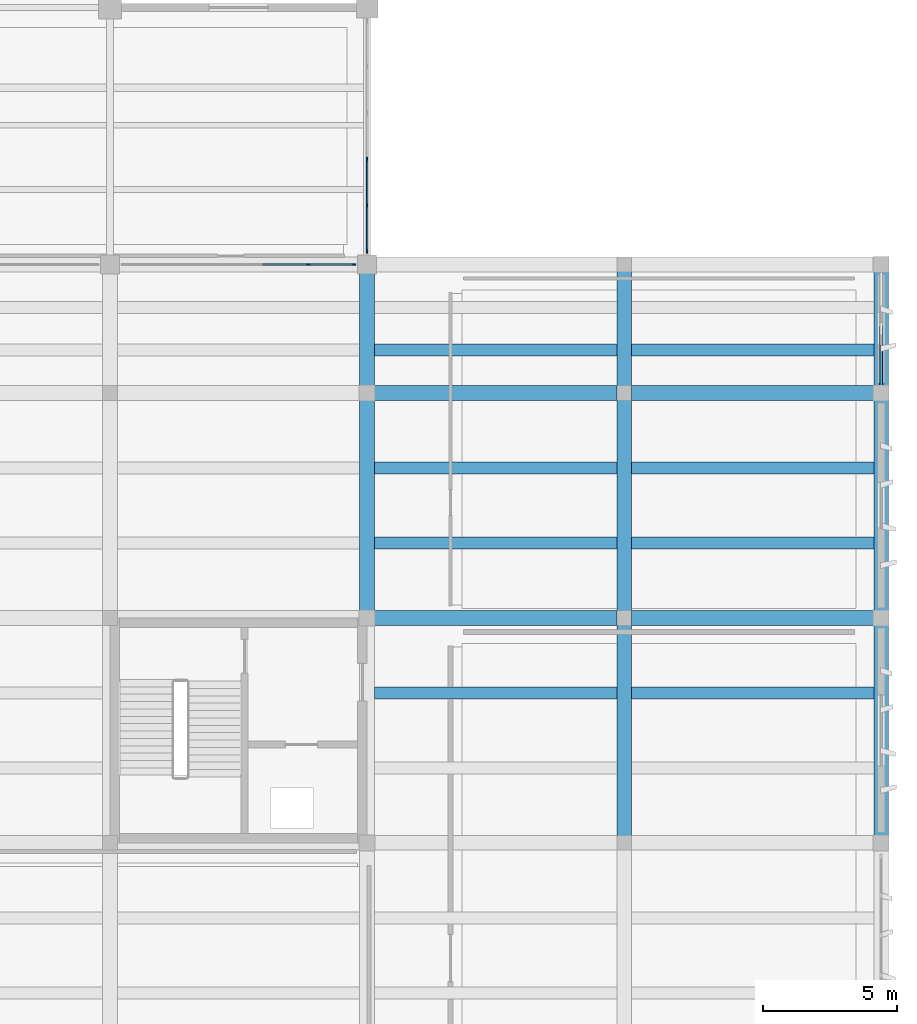
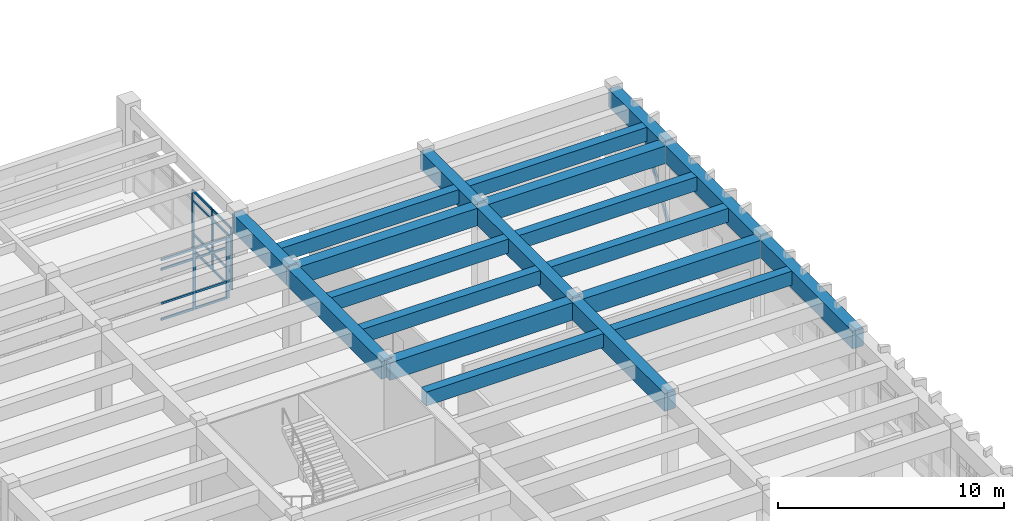
# One storey, part 42 of 86: 22 members, 20 beams, 2 elements without a shape of their own.
"""IFC4 building model written with IfcOpenShell, lengths in metres."""

from ifc_helpers import new_model, si_unit, direction, frame, origin, origin_2d, place, context, subcontext, project, spatial, rectangle, hollow_rectangle, extrude, material, layer, layer_set, material_profile, profile_set, type_object, element, aggregate, save


model = new_model("IFC4")

# Units and contexts
model_context = context("Model", 3, precision=1e-05, world=origin(), true_north=direction((0.0, 1.0)))
body_context = subcontext(model_context, "Body", "Model", "MODEL_VIEW")
ifc_project = project(units=[si_unit("LENGTHUNIT", "METRE"), si_unit("AREAUNIT", "SQUARE_METRE"), si_unit("VOLUMEUNIT", "CUBIC_METRE"), si_unit("PLANEANGLEUNIT", "RADIAN"), si_unit("MASSUNIT", "GRAM", prefix="KILO")], contexts=[model_context])

# Site, building, storey
site_placement = place(None, origin())
site = spatial("IfcSite", under=ifc_project, at=site_placement, CompositionType="ELEMENT")
building_placement = place(site_placement, origin())
building = spatial("IfcBuilding", under=site, at=building_placement, Name="Kolvemor Railside Polytechnic", CompositionType="ELEMENT")
storey_placement = place(building_placement, frame((0.0, 0.0, 5.39990234375)))
storey = spatial("IfcBuildingStorey", under=building, at=storey_placement, Name="L01", CompositionType="ELEMENT", Elevation=5.39990234375)

# Beams
ifc_material_1 = material(Name="Concrete C40/50", Category="concrete")
ifc_material_profile_1 = material_profile(ifc_material_1, rectangle(XDim=0.550048828125, YDim=0.949951171875, at=origin_2d()), Name="RC550x950")
ifc_profile_set_1 = profile_set([ifc_material_profile_1], Name="Concrete C40/50")
beam_type_1 = type_object("IfcBeamType", Name="BM-RC-GIRD", PredefinedType="BEAM", material=ifc_profile_set_1)
beam_1_placement = place(storey_placement, frame((163.199951171875, 68.39990234375, 4.005126953125), z_axis=(1.0, 0.0, 0.0), x_axis=(0.0, 1.0, 0.0)))
element("IfcBeam", 1, at=beam_1_placement, inside=storey, type_object=beam_type_1, Name="Primary Girder L02-GX 0925", PredefinedType="BEAM", context=body_context, shape_type="SweptSolid", body=[
    extrude(rectangle(XDim=0.550048828125, YDim=0.949951171875, at=origin_2d()), origin(), (0.0, 0.0, 1.0), 9.60009765625),
])
beam_2_placement = place(storey_placement, frame((172.800048828125, 68.39990234375, 4.005126953125), z_axis=(1.0, 0.0, 0.0), x_axis=(0.0, 1.0, 0.0)))
element("IfcBeam", 2, at=beam_2_placement, inside=storey, type_object=beam_type_1, Name="Primary Girder L02-GX 0926", PredefinedType="BEAM", context=body_context, shape_type="SweptSolid", body=[
    extrude(rectangle(XDim=0.550048828125, YDim=0.949951171875, at=origin_2d()), origin(), (0.0, 0.0, 1.0), 9.599853515625),
])
beam_3_placement = place(storey_placement, frame((163.199951171875, 76.800048828125, 4.005126953125), z_axis=(1.0, 0.0, 0.0), x_axis=(0.0, 1.0, 0.0)))
element("IfcBeam", 3, at=beam_3_placement, inside=storey, type_object=beam_type_1, Name="Primary Girder L02-GX 0929", PredefinedType="BEAM", context=body_context, shape_type="SweptSolid", body=[
    extrude(rectangle(XDim=0.550048828125, YDim=0.949951171875, at=origin_2d()), origin(), (0.0, 0.0, 1.0), 9.60009765625),
])
beam_4_placement = place(storey_placement, frame((172.800048828125, 76.800048828125, 4.005126953125), z_axis=(1.0, 0.0, 0.0), x_axis=(0.0, 1.0, 0.0)))
element("IfcBeam", 4, at=beam_4_placement, inside=storey, type_object=beam_type_1, Name="Primary Girder L02-GX 0930", PredefinedType="BEAM", context=body_context, shape_type="SweptSolid", body=[
    extrude(rectangle(XDim=0.550048828125, YDim=0.949951171875, at=origin_2d()), origin(), (0.0, 0.0, 1.0), 9.599853515625),
])
beam_5_placement = place(storey_placement, frame((163.199951171875, 68.39990234375, 4.005126953125), z_axis=(0.0, 1.0, 0.0), x_axis=(-1.0, 0.0, 0.0)))
element("IfcBeam", 5, at=beam_5_placement, inside=storey, type_object=beam_type_1, Name="Primary Girder L02-GY 0960", PredefinedType="BEAM", context=body_context, shape_type="SweptSolid", body=[
    extrude(rectangle(XDim=0.550048828125, YDim=0.949951171875, at=origin_2d()), origin(), (0.0, 0.0, 1.0), 8.400146484375),
])
beam_6_placement = place(storey_placement, frame((163.199951171875, 76.800048828125, 4.005126953125), z_axis=(0.0, 1.0, 0.0), x_axis=(-1.0, 0.0, 0.0)))
element("IfcBeam", 6, at=beam_6_placement, inside=storey, type_object=beam_type_1, Name="Primary Girder L02-GY 0961", PredefinedType="BEAM", context=body_context, shape_type="SweptSolid", body=[
    extrude(rectangle(XDim=0.550048828125, YDim=0.949951171875, at=origin_2d()), origin(), (0.0, 0.0, 1.0), 4.800048828125),
])
beam_7_placement = place(storey_placement, frame((172.800048828125, 60.0, 4.005126953125), z_axis=(0.0, 1.0, 0.0), x_axis=(-1.0, 0.0, 0.0)))
element("IfcBeam", 7, at=beam_7_placement, inside=storey, type_object=beam_type_1, Name="Primary Girder L02-GY 0968", PredefinedType="BEAM", context=body_context, shape_type="SweptSolid", body=[
    extrude(rectangle(XDim=0.550048828125, YDim=0.949951171875, at=origin_2d()), origin(), (0.0, 0.0, 1.0), 8.39990234375),
])
beam_8_placement = place(storey_placement, frame((172.800048828125, 68.39990234375, 4.005126953125), z_axis=(0.0, 1.0, 0.0), x_axis=(-1.0, 0.0, 0.0)))
element("IfcBeam", 8, at=beam_8_placement, inside=storey, type_object=beam_type_1, Name="Primary Girder L02-GY 0969", PredefinedType="BEAM", context=body_context, shape_type="SweptSolid", body=[
    extrude(rectangle(XDim=0.550048828125, YDim=0.949951171875, at=origin_2d()), origin(), (0.0, 0.0, 1.0), 8.400146484375),
])
beam_9_placement = place(storey_placement, frame((172.800048828125, 76.800048828125, 4.005126953125), z_axis=(0.0, 1.0, 0.0), x_axis=(-1.0, 0.0, 0.0)))
element("IfcBeam", 9, at=beam_9_placement, inside=storey, type_object=beam_type_1, Name="Primary Girder L02-GY 0970", PredefinedType="BEAM", context=body_context, shape_type="SweptSolid", body=[
    extrude(rectangle(XDim=0.550048828125, YDim=0.949951171875, at=origin_2d()), origin(), (0.0, 0.0, 1.0), 4.800048828125),
])
beam_10_placement = place(storey_placement, frame((182.39990234375, 60.0, 4.005126953125), z_axis=(0.0, 1.0, 0.0), x_axis=(-1.0, 0.0, 0.0)))
element("IfcBeam", 10, at=beam_10_placement, inside=storey, type_object=beam_type_1, Name="Primary Girder L02-GY 0977", PredefinedType="BEAM", context=body_context, shape_type="SweptSolid", body=[
    extrude(rectangle(XDim=0.550048828125, YDim=0.949951171875, at=origin_2d()), origin(), (0.0, 0.0, 1.0), 8.39990234375),
])
beam_11_placement = place(storey_placement, frame((182.39990234375, 68.39990234375, 4.005126953125), z_axis=(0.0, 1.0, 0.0), x_axis=(-1.0, 0.0, 0.0)))
element("IfcBeam", 11, at=beam_11_placement, inside=storey, type_object=beam_type_1, Name="Primary Girder L02-GY 0978", PredefinedType="BEAM", context=body_context, shape_type="SweptSolid", body=[
    extrude(rectangle(XDim=0.550048828125, YDim=0.949951171875, at=origin_2d()), origin(), (0.0, 0.0, 1.0), 8.400146484375),
])
beam_12_placement = place(storey_placement, frame((182.39990234375, 76.800048828125, 4.005126953125), z_axis=(0.0, 1.0, 0.0), x_axis=(-1.0, 0.0, 0.0)))
element("IfcBeam", 12, at=beam_12_placement, inside=storey, type_object=beam_type_1, Name="Primary Girder L02-GY 0979", PredefinedType="BEAM", context=body_context, shape_type="SweptSolid", body=[
    extrude(rectangle(XDim=0.550048828125, YDim=0.949951171875, at=origin_2d()), origin(), (0.0, 0.0, 1.0), 4.800048828125),
])
ifc_material_2 = material(Name="Concrete C40/50", Category="concrete")
ifc_material_profile_2 = material_profile(ifc_material_2, rectangle(XDim=0.449951171875, YDim=0.75, at=origin_2d()), Name="RC450x750")
ifc_profile_set_2 = profile_set([ifc_material_profile_2], Name="Concrete C40/50")
beam_type_2 = type_object("IfcBeamType", Name="BM-RC-SEC", PredefinedType="JOIST", material=ifc_profile_set_2)
for number, where, z_axis, x_axis, name in (
    (13, (163.47509765625, 65.60009765625, 4.10498046875), (1.0, 0.0, 0.0), (0.0, 1.0, 0.0), "Floor Joist L02-J1025"),
    (14, (163.47509765625, 71.199951171875, 4.10498046875), (1.0, 0.0, 0.0), (0.0, 1.0, 0.0), "Floor Joist L02-J1026"),
    (15, (163.47509765625, 74.0, 4.10498046875), (1.0, 0.0, 0.0), (0.0, 1.0, 0.0), "Floor Joist L02-J1027"),
    (16, (163.47509765625, 78.39990234375, 4.10498046875), (1.0, 0.0, 0.0), (0.0, 1.0, 0.0), "Floor Joist L02-J1028"),
):
    element("IfcBeam", number, at=place(storey_placement, frame(where, z_axis=z_axis, x_axis=x_axis)), inside=storey, type_object=beam_type_2, Name=name, PredefinedType="JOIST", context=body_context, shape_type="SweptSolid", body=[
        extrude(rectangle(XDim=0.449951171875, YDim=0.75, at=origin_2d()), origin(), (0.0, 0.0, 1.0), 9.0498046875),
    ])
for number, where, z_axis, x_axis, name in (
    (17, (173.074951171875, 65.60009765625, 4.10498046875), (1.0, 0.0, 0.0), (0.0, 1.0, 0.0), "Floor Joist L02-J1043"),
    (18, (173.074951171875, 71.199951171875, 4.10498046875), (1.0, 0.0, 0.0), (0.0, 1.0, 0.0), "Floor Joist L02-J1044"),
    (19, (173.074951171875, 74.0, 4.10498046875), (1.0, 0.0, 0.0), (0.0, 1.0, 0.0), "Floor Joist L02-J1045"),
    (20, (173.074951171875, 78.39990234375, 4.10498046875), (1.0, 0.0, 0.0), (0.0, 1.0, 0.0), "Floor Joist L02-J1046"),
):
    element("IfcBeam", number, at=place(storey_placement, frame(where, z_axis=z_axis, x_axis=x_axis)), inside=storey, type_object=beam_type_2, Name=name, PredefinedType="JOIST", context=body_context, shape_type="SweptSolid", body=[
        extrude(rectangle(XDim=0.449951171875, YDim=0.75, at=origin_2d()), origin(), (0.0, 0.0, 1.0), 9.050048828125),
    ])

# Curtain wall, members
ifc_material_3 = material(Name="Anodised marine aluminium and laminated low-E glass", Category="aluminium")
ifc_layer = layer(ifc_material_3, 0.179931640625, Name="CW-UNIT-STD")
ifc_layer_set = layer_set([ifc_layer], Name="Anodised marine aluminium and laminated low-E glass")
curtain_wall_type = type_object("IfcCurtainWallType", Name="CW-UNIT-STD", PredefinedType="USERDEFINED", material=ifc_layer_set)
curtain_wall_1_placement = place(storey_placement, origin())
curtain_wall_1 = element("IfcCurtainWall", 21, at=curtain_wall_1_placement, inside=storey, type_object=curtain_wall_type, Name="Curtain Wall L01-041", ObjectType="UNITISED CURTAIN WALL", PredefinedType="USERDEFINED")
ifc_material_4 = material(Name="Anodised marine aluminium 6063-T6", Category="aluminium")
ifc_material_profile_3 = material_profile(ifc_material_4, rectangle(XDim=0.06494140625, YDim=0.14990234375, at=origin_2d()), Name="CW-MUL-65x150")
ifc_profile_set_3 = profile_set([ifc_material_profile_3], Name="Anodised marine aluminium 6063-T6")
member_type_1 = type_object("IfcMemberType", Name="CWM-65x150", PredefinedType="MULLION", material=ifc_profile_set_3)
member_1_placement = place(storey_placement, frame((162.697509765625, 81.60009765625, 0.0), z_axis=(0.0, 0.0, 1.0), x_axis=(0.0, -1.0, 0.0)))
member_1 = element("IfcMember", 22, at=member_1_placement, type_object=member_type_1, Name="CW-STD mullion 1", PredefinedType="MULLION", context=body_context, shape_type="SweptSolid", body=[
    extrude(rectangle(XDim=0.06494140625, YDim=0.14990234375, at=origin_2d()), origin(), (0.0, 0.0, 1.0), 3.280029296875),
])
member_2_placement = place(storey_placement, frame((160.998046875, 81.60009765625, 0.0), z_axis=(0.0, 0.0, 1.0), x_axis=(0.0, -1.0, 0.0)))
member_2 = element("IfcMember", 23, at=member_2_placement, type_object=member_type_1, Name="CW-STD mullion 2", PredefinedType="MULLION", context=body_context, shape_type="SweptSolid", body=[
    extrude(rectangle(XDim=0.06494140625, YDim=0.14990234375, at=origin_2d()), origin(), (0.0, 0.0, 1.0), 3.280029296875),
])

curtain_wall_2_placement = place(storey_placement, origin())
curtain_wall_2 = element("IfcCurtainWall", 24, at=curtain_wall_2_placement, inside=storey, type_object=curtain_wall_type, Name="Curtain Wall L01-043", ObjectType="UNITISED CURTAIN WALL", PredefinedType="USERDEFINED")
member_3_placement = place(storey_placement, frame((163.199951171875, 82.1025390625, 0.0), z_axis=(0.0, 0.0, 1.0), x_axis=(-1.0, 0.0, 0.0)))
member_3 = element("IfcMember", 25, at=member_3_placement, type_object=member_type_1, Name="CW-STD mullion 1", PredefinedType="MULLION", context=body_context, shape_type="SweptSolid", body=[
    extrude(rectangle(XDim=0.06494140625, YDim=0.14990234375, at=origin_2d()), origin(), (0.0, 0.0, 1.0), 3.280029296875),
])
member_4_placement = place(storey_placement, frame((163.199951171875, 83.802001953125, 0.0), z_axis=(0.0, 0.0, 1.0), x_axis=(-1.0, 0.0, 0.0)))
member_4 = element("IfcMember", 26, at=member_4_placement, type_object=member_type_1, Name="CW-STD mullion 2", PredefinedType="MULLION", context=body_context, shape_type="SweptSolid", body=[
    extrude(rectangle(XDim=0.06494140625, YDim=0.14990234375, at=origin_2d()), origin(), (0.0, 0.0, 1.0), 3.280029296875),
])
member_5_placement = place(storey_placement, frame((163.199951171875, 85.533935546875, 0.0), z_axis=(0.0, 0.0, 1.0), x_axis=(-1.0, 0.0, 0.0)))
member_5 = element("IfcMember", 27, at=member_5_placement, type_object=member_type_1, Name="CW-STD mullion 3", PredefinedType="MULLION", context=body_context, shape_type="SweptSolid", body=[
    extrude(rectangle(XDim=0.06494140625, YDim=0.14990234375, at=origin_2d()), origin(), (0.0, 0.0, 1.0), 3.280029296875),
])

# Member
ifc_material_5 = material(Name="Anodised marine aluminium 6063-T6", Category="aluminium")
ifc_material_profile_4 = material_profile(ifc_material_5, rectangle(XDim=0.06494140625, YDim=0.1201171875, at=origin_2d()), Name="CW-TRN-65x120")
ifc_profile_set_4 = profile_set([ifc_material_profile_4], Name="Anodised marine aluminium 6063-T6")
member_type_2 = type_object("IfcMemberType", Name="CWT-65x120", PredefinedType="USERDEFINED", material=ifc_profile_set_4)
member_6_placement = place(storey_placement, frame((162.6650390625, 81.60009765625, 0.03271484375), z_axis=(-1.0, 0.0, 0.0), x_axis=(0.0, -1.0, 0.0)))
member_6 = element("IfcMember", 28, at=member_6_placement, type_object=member_type_2, Name="CW-STD transom 1.1", ObjectType="TRANSOM", PredefinedType="USERDEFINED", context=body_context, shape_type="SweptSolid", body=[
    extrude(rectangle(XDim=0.06494140625, YDim=0.1201171875, at=origin_2d()), origin(), (0.0, 0.0, 1.0), 1.634521484375),
])

member_7_placement = place(storey_placement, frame((162.6650390625, 81.60009765625, 0.900146484375), z_axis=(-1.0, 0.0, 0.0), x_axis=(0.0, -1.0, 0.0)))
member_7 = element("IfcMember", 29, at=member_7_placement, type_object=member_type_2, Name="CW-STD transom 1.2", ObjectType="TRANSOM", PredefinedType="USERDEFINED", context=body_context, shape_type="SweptSolid", body=[
    extrude(rectangle(XDim=0.06494140625, YDim=0.1201171875, at=origin_2d()), origin(), (0.0, 0.0, 1.0), 1.634521484375),
])

member_8_placement = place(storey_placement, frame((162.6650390625, 81.60009765625, 2.72998046875), z_axis=(-1.0, 0.0, 0.0), x_axis=(0.0, -1.0, 0.0)))
member_8 = element("IfcMember", 30, at=member_8_placement, type_object=member_type_2, Name="CW-STD transom 1.3", ObjectType="TRANSOM", PredefinedType="USERDEFINED", context=body_context, shape_type="SweptSolid", body=[
    extrude(rectangle(XDim=0.06494140625, YDim=0.1201171875, at=origin_2d()), origin(), (0.0, 0.0, 1.0), 1.634521484375),
])

member_9_placement = place(storey_placement, frame((162.6650390625, 81.60009765625, 3.24755859375), z_axis=(-1.0, 0.0, 0.0), x_axis=(0.0, -1.0, 0.0)))
member_9 = element("IfcMember", 31, at=member_9_placement, type_object=member_type_2, Name="CW-STD transom 1.4", ObjectType="TRANSOM", PredefinedType="USERDEFINED", context=body_context, shape_type="SweptSolid", body=[
    extrude(rectangle(XDim=0.06494140625, YDim=0.1201171875, at=origin_2d()), origin(), (0.0, 0.0, 1.0), 1.634521484375),
])

member_10_placement = place(storey_placement, frame((160.965576171875, 81.60009765625, 0.03271484375), z_axis=(-1.0, 0.0, 0.0), x_axis=(0.0, -1.0, 0.0)))
member_10 = element("IfcMember", 32, at=member_10_placement, type_object=member_type_2, Name="CW-STD transom 2.1", ObjectType="TRANSOM", PredefinedType="USERDEFINED", context=body_context, shape_type="SweptSolid", body=[
    extrude(rectangle(XDim=0.06494140625, YDim=0.1201171875, at=origin_2d()), origin(), (0.0, 0.0, 1.0), 1.6669921875),
])

member_11_placement = place(storey_placement, frame((160.965576171875, 81.60009765625, 0.900146484375), z_axis=(-1.0, 0.0, 0.0), x_axis=(0.0, -1.0, 0.0)))
member_11 = element("IfcMember", 33, at=member_11_placement, type_object=member_type_2, Name="CW-STD transom 2.2", ObjectType="TRANSOM", PredefinedType="USERDEFINED", context=body_context, shape_type="SweptSolid", body=[
    extrude(rectangle(XDim=0.06494140625, YDim=0.1201171875, at=origin_2d()), origin(), (0.0, 0.0, 1.0), 1.6669921875),
])

member_12_placement = place(storey_placement, frame((160.965576171875, 81.60009765625, 2.72998046875), z_axis=(-1.0, 0.0, 0.0), x_axis=(0.0, -1.0, 0.0)))
member_12 = element("IfcMember", 34, at=member_12_placement, type_object=member_type_2, Name="CW-STD transom 2.3", ObjectType="TRANSOM", PredefinedType="USERDEFINED", context=body_context, shape_type="SweptSolid", body=[
    extrude(rectangle(XDim=0.06494140625, YDim=0.1201171875, at=origin_2d()), origin(), (0.0, 0.0, 1.0), 1.6669921875),
])

member_13_placement = place(storey_placement, frame((160.965576171875, 81.60009765625, 3.24755859375), z_axis=(-1.0, 0.0, 0.0), x_axis=(0.0, -1.0, 0.0)))
member_13 = element("IfcMember", 35, at=member_13_placement, type_object=member_type_2, Name="CW-STD transom 2.4", ObjectType="TRANSOM", PredefinedType="USERDEFINED", context=body_context, shape_type="SweptSolid", body=[
    extrude(rectangle(XDim=0.06494140625, YDim=0.1201171875, at=origin_2d()), origin(), (0.0, 0.0, 1.0), 1.6669921875),
])

aggregate(curtain_wall_1, [member_1, member_2, member_6, member_7, member_8, member_9, member_10, member_11, member_12, member_13])

member_14_placement = place(storey_placement, frame((163.199951171875, 82.135009765625, 0.03271484375), z_axis=(0.0, 1.0, 0.0), x_axis=(-1.0, 0.0, 0.0)))
member_14 = element("IfcMember", 36, at=member_14_placement, type_object=member_type_2, Name="CW-STD transom 1.1", ObjectType="TRANSOM", PredefinedType="USERDEFINED", context=body_context, shape_type="SweptSolid", body=[
    extrude(rectangle(XDim=0.06494140625, YDim=0.1201171875, at=origin_2d()), origin(), (0.0, 0.0, 1.0), 1.634521484375),
])

member_15_placement = place(storey_placement, frame((163.199951171875, 82.135009765625, 0.900146484375), z_axis=(0.0, 1.0, 0.0), x_axis=(-1.0, 0.0, 0.0)))
member_15 = element("IfcMember", 37, at=member_15_placement, type_object=member_type_2, Name="CW-STD transom 1.2", ObjectType="TRANSOM", PredefinedType="USERDEFINED", context=body_context, shape_type="SweptSolid", body=[
    extrude(rectangle(XDim=0.06494140625, YDim=0.1201171875, at=origin_2d()), origin(), (0.0, 0.0, 1.0), 1.634521484375),
])

member_16_placement = place(storey_placement, frame((163.199951171875, 82.135009765625, 2.72998046875), z_axis=(0.0, 1.0, 0.0), x_axis=(-1.0, 0.0, 0.0)))
member_16 = element("IfcMember", 38, at=member_16_placement, type_object=member_type_2, Name="CW-STD transom 1.3", ObjectType="TRANSOM", PredefinedType="USERDEFINED", context=body_context, shape_type="SweptSolid", body=[
    extrude(rectangle(XDim=0.06494140625, YDim=0.1201171875, at=origin_2d()), origin(), (0.0, 0.0, 1.0), 1.634521484375),
])

member_17_placement = place(storey_placement, frame((163.199951171875, 82.135009765625, 3.24755859375), z_axis=(0.0, 1.0, 0.0), x_axis=(-1.0, 0.0, 0.0)))
member_17 = element("IfcMember", 39, at=member_17_placement, type_object=member_type_2, Name="CW-STD transom 1.4", ObjectType="TRANSOM", PredefinedType="USERDEFINED", context=body_context, shape_type="SweptSolid", body=[
    extrude(rectangle(XDim=0.06494140625, YDim=0.1201171875, at=origin_2d()), origin(), (0.0, 0.0, 1.0), 1.634521484375),
])

member_18_placement = place(storey_placement, frame((163.199951171875, 83.83447265625, 0.03271484375), z_axis=(0.0, 1.0, 0.0), x_axis=(-1.0, 0.0, 0.0)))
member_18 = element("IfcMember", 40, at=member_18_placement, type_object=member_type_2, Name="CW-STD transom 2.1", ObjectType="TRANSOM", PredefinedType="USERDEFINED", context=body_context, shape_type="SweptSolid", body=[
    extrude(rectangle(XDim=0.06494140625, YDim=0.1201171875, at=origin_2d()), origin(), (0.0, 0.0, 1.0), 1.6669921875),
])

member_19_placement = place(storey_placement, frame((163.199951171875, 83.83447265625, 0.900146484375), z_axis=(0.0, 1.0, 0.0), x_axis=(-1.0, 0.0, 0.0)))
member_19 = element("IfcMember", 41, at=member_19_placement, type_object=member_type_2, Name="CW-STD transom 2.2", ObjectType="TRANSOM", PredefinedType="USERDEFINED", context=body_context, shape_type="SweptSolid", body=[
    extrude(rectangle(XDim=0.06494140625, YDim=0.1201171875, at=origin_2d()), origin(), (0.0, 0.0, 1.0), 1.6669921875),
])

member_20_placement = place(storey_placement, frame((163.199951171875, 83.83447265625, 2.72998046875), z_axis=(0.0, 1.0, 0.0), x_axis=(-1.0, 0.0, 0.0)))
member_20 = element("IfcMember", 42, at=member_20_placement, type_object=member_type_2, Name="CW-STD transom 2.3", ObjectType="TRANSOM", PredefinedType="USERDEFINED", context=body_context, shape_type="SweptSolid", body=[
    extrude(rectangle(XDim=0.06494140625, YDim=0.1201171875, at=origin_2d()), origin(), (0.0, 0.0, 1.0), 1.6669921875),
])

member_21_placement = place(storey_placement, frame((163.199951171875, 83.83447265625, 3.24755859375), z_axis=(0.0, 1.0, 0.0), x_axis=(-1.0, 0.0, 0.0)))
member_21 = element("IfcMember", 43, at=member_21_placement, type_object=member_type_2, Name="CW-STD transom 2.4", ObjectType="TRANSOM", PredefinedType="USERDEFINED", context=body_context, shape_type="SweptSolid", body=[
    extrude(rectangle(XDim=0.06494140625, YDim=0.1201171875, at=origin_2d()), origin(), (0.0, 0.0, 1.0), 1.6669921875),
])

aggregate(curtain_wall_2, [member_3, member_4, member_5, member_14, member_15, member_16, member_17, member_18, member_19, member_20, member_21])

ifc_material_6 = material(Name="Steel S355", Category="steel")
ifc_material_profile_5 = material_profile(ifc_material_6, hollow_rectangle(XDim=0.1201171875, YDim=0.199951171875, WallThickness=0.008056640625, InnerFilletRadius=0.008056640625, OuterFilletRadius=0.01611328125, at=origin_2d()), Name="HSS200x120x8")
ifc_profile_set_5 = profile_set([ifc_material_profile_5], Name="Steel S355")
member_type_3 = type_object("IfcMemberType", Name="MEM-BR-HSS2", PredefinedType="BRACE", material=ifc_profile_set_5)
member_22_placement = place(storey_placement, frame((182.39990234375, 76.800048828125, 0.150146484375), z_axis=(0.0, 0.511653138161, 0.859192100877), x_axis=(-1.0, 0.0, 0.0)))
element("IfcMember", 44, at=member_22_placement, inside=storey, type_object=member_type_3, Name="Wind Chevron Brace BR-08A", PredefinedType="BRACE", context=body_context, shape_type="SweptSolid", body=[
    extrude(hollow_rectangle(XDim=0.1201171875, YDim=0.199951171875, WallThickness=0.008056640625, InnerFilletRadius=0.008056640625, OuterFilletRadius=0.01611328125, at=origin_2d()), origin(), (0.0, 0.0, 1.0), 4.6904296875),
])

save(model, "model.ifc")
